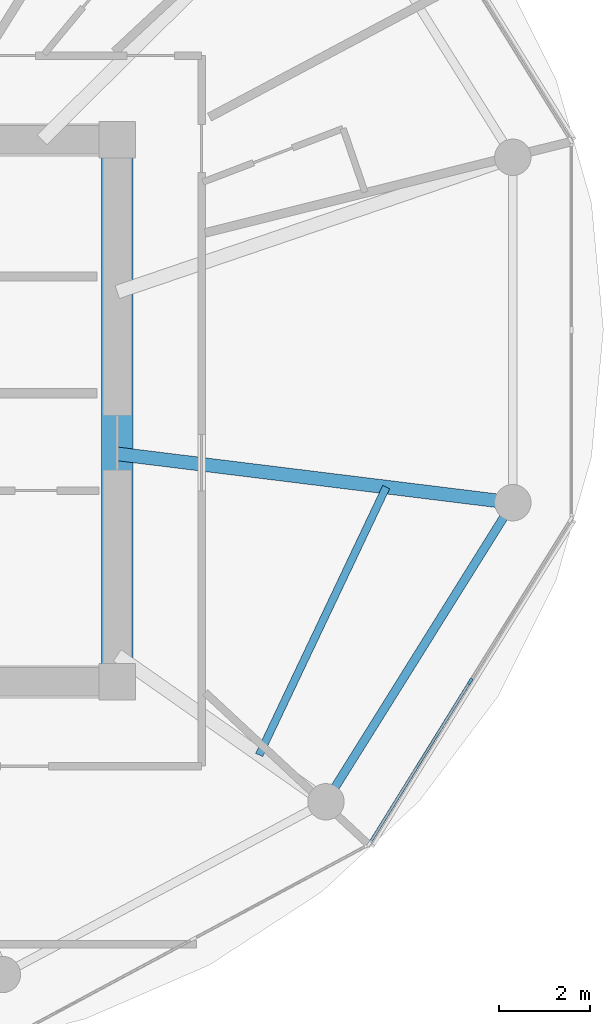
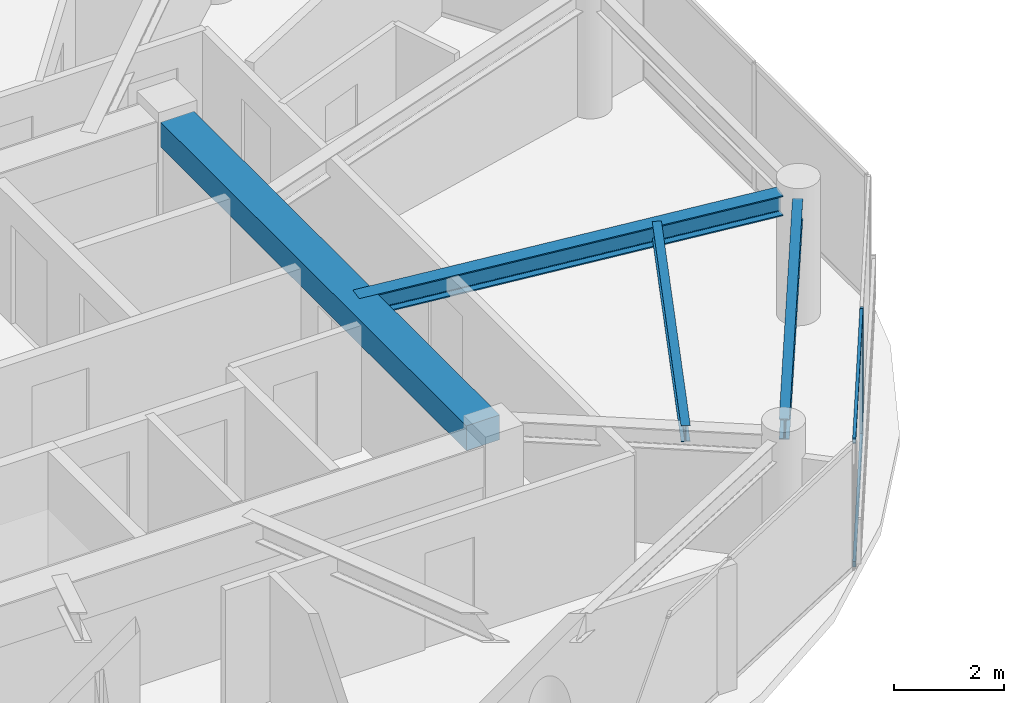
# One storey, part 3 of 24: 4 beams, 3 members, 1 element without a shape of its own.
"""IFC4 building model written with IfcOpenShell, lengths in metres."""

import ifcopenshell
import ifcopenshell.guid

model = None  # the IFC model being written
_history = None  # IfcOwnerHistory: only IFC2X3 demands one
_inside = {}  # id of a spatial element -> (the spatial element, [elements in it])
_under = {}  # id of a project, library or spatial element -> (it, [spatial elements below it])
_declared = {}  # id of a project -> (the project, [libraries it declares])
_typed = {}  # id of a type object -> (the type object, [elements of that type])
_made_of = {}  # id of a material, layer set ... -> (it, [elements and type objects made of it])


def new_model(schema):
    """Start an empty IFC model of exactly this schema.

    Asked for "IFC4X3", IfcOpenShell would pick the latest addendum, in which some entities
    have other attributes; the version numbers below select the first issue.
    IFC2X3 requires an IfcOwnerHistory on every rooted entity: one is made here for all.
    """
    global model, _history
    if schema == "IFC4X3":
        model = ifcopenshell.file(schema_version=(4, 3, 0, 0))
    else:
        model = ifcopenshell.file(schema=schema)
    _inside.clear()
    _under.clear()
    _declared.clear()
    _typed.clear()
    _made_of.clear()
    _history = None
    if model.schema == "IFC2X3":
        org = make("IfcOrganization", Name="unknown")
        user = make(
            "IfcPersonAndOrganization",
            ThePerson=make("IfcPerson", FamilyName="unknown"),
            TheOrganization=org,
        )
        app = make(
            "IfcApplication",
            ApplicationDeveloper=org,
            Version="unknown",
            ApplicationFullName="unknown",
            ApplicationIdentifier="unknown",
        )
        _history = make(
            "IfcOwnerHistory",
            OwningUser=user,
            OwningApplication=app,
            ChangeAction="ADDED",
            CreationDate=0,
        )
    return model


def make(cls, **values):
    """One entity of the class cls with the attributes given. An attribute that is None is left unset."""
    return model.create_entity(
        cls, **{name: value for name, value in values.items() if value is not None}
    )


def rooted(cls, **values):
    """An entity with a GlobalId (a new one), such as an element, a storey or a relation."""
    return make(cls, GlobalId=ifcopenshell.guid.new(), OwnerHistory=_history, **values)


def si_unit(unit_type, name, prefix=None):
    """IfcSIUnit, for example si_unit("LENGTHUNIT", "METRE", prefix="MILLI")."""
    return make("IfcSIUnit", UnitType=unit_type, Prefix=prefix, Name=name)


def assignment(units):
    """IfcUnitAssignment: the units of a project."""
    return None if units is None else make("IfcUnitAssignment", Units=units)


def point(xyz):
    """IfcCartesianPoint."""
    return None if xyz is None else make("IfcCartesianPoint", Coordinates=xyz)


def direction(xyz):
    """IfcDirection."""
    return None if xyz is None else make("IfcDirection", DirectionRatios=xyz)


def frame(location, z_axis=None, x_axis=None):
    """IfcAxis2Placement3D, a coordinate frame: its origin and axes. An axis left out is left unset."""
    return make(
        "IfcAxis2Placement3D",
        Location=point(location),
        Axis=direction(z_axis),
        RefDirection=direction(x_axis),
    )


def frame_2d(location, x_axis=None):
    """IfcAxis2Placement2D, a coordinate frame in the plane: its origin and x axis."""
    return make(
        "IfcAxis2Placement2D", Location=point(location), RefDirection=direction(x_axis)
    )


def origin():
    """The frame at (0, 0, 0) with its axes left unset."""
    return frame((0.0, 0.0, 0.0))


def origin_2d():
    """The frame at (0, 0) in the plane with its x axis left unset."""
    return frame_2d((0.0, 0.0))


def place(relative_to, where):
    """IfcLocalPlacement: puts the frame where relative to a parent placement (None: the world)."""
    return make(
        "IfcLocalPlacement", PlacementRelTo=relative_to, RelativePlacement=where
    )


def context(
    kind, dimensions, precision=None, world=None, true_north=None, identifier=None
):
    """IfcGeometricRepresentationContext, for example the 3D "Model" context."""
    return make(
        "IfcGeometricRepresentationContext",
        ContextIdentifier=identifier,
        ContextType=kind,
        CoordinateSpaceDimension=dimensions,
        Precision=precision,
        WorldCoordinateSystem=world,
        TrueNorth=true_north,
    )


def subcontext(parent, identifier, kind, view, scale=None):
    """IfcGeometricRepresentationSubContext, for example "Body" below "Model"."""
    return make(
        "IfcGeometricRepresentationSubContext",
        ContextIdentifier=identifier,
        ContextType=kind,
        ParentContext=parent,
        TargetScale=scale,
        TargetView=view,
    )


def project(units=None, contexts=None):
    """IfcProject with its units and contexts."""
    return rooted(
        "IfcProject",
        Name="project",
        RepresentationContexts=contexts,
        UnitsInContext=assignment(units),
    )


def spatial(cls, under=None, at=None, **own):
    """A site, building, storey or space (cls), placed at a placement, below another one or the project."""
    s = rooted(cls, ObjectPlacement=at, **own)
    if under is not None:
        _under.setdefault(under.id(), (under, []))[1].append(s)
    return s


def profile(cls, at=None, kind="AREA", **sizes):
    """A parametric profile (cls). Its sizes go by their IFC names, for example OverallWidth=200.0."""
    return make(cls, ProfileType=kind, Position=at, **sizes)


def rectangle(**sizes):
    """IfcRectangleProfileDef."""
    return profile("IfcRectangleProfileDef", **sizes)


def i_section(**sizes):
    """IfcIShapeProfileDef."""
    return profile("IfcIShapeProfileDef", **sizes)


def extrude(swept, where, along, depth):
    """IfcExtrudedAreaSolid: the profile swept, set in the frame where, extruded along a direction by depth."""
    return make(
        "IfcExtrudedAreaSolid",
        SweptArea=swept,
        Position=where,
        ExtrudedDirection=direction(along),
        Depth=depth,
    )


def shape(context_of_items, identifier, shape_type, items):
    """IfcShapeRepresentation: the items that make up one representation, for example the "Body"."""
    return make(
        "IfcShapeRepresentation",
        ContextOfItems=context_of_items,
        RepresentationIdentifier=identifier,
        RepresentationType=shape_type,
        Items=items,
    )


def source(mapping_origin, context_of_items, identifier, shape_type, items):
    """IfcRepresentationMap: a shape defined once, which mapped items show again and again."""
    return make(
        "IfcRepresentationMap",
        MappingOrigin=mapping_origin,
        MappedRepresentation=shape(context_of_items, identifier, shape_type, items),
    )


def transform(
    local_origin,
    x_axis=None,
    y_axis=None,
    z_axis=None,
    scale=None,
    scale2=None,
    scale3=None,
    uniform=True,
):
    """IfcCartesianTransformationOperator3D, or its non-uniform kind. x_axis, y_axis, z_axis: its Axis1, 2, 3."""
    if uniform:
        return make(
            "IfcCartesianTransformationOperator3D",
            Axis1=direction(x_axis),
            Axis2=direction(y_axis),
            LocalOrigin=point(local_origin),
            Scale=scale,
            Axis3=direction(z_axis),
        )
    return make(
        "IfcCartesianTransformationOperator3DnonUniform",
        Axis1=direction(x_axis),
        Axis2=direction(y_axis),
        LocalOrigin=point(local_origin),
        Scale=scale,
        Axis3=direction(z_axis),
        Scale2=scale2,
        Scale3=scale3,
    )


def mapped(mapping_source, mapping_target):
    """IfcMappedItem: shows the shape of a source again, moved by a transform."""
    return make(
        "IfcMappedItem", MappingSource=mapping_source, MappingTarget=mapping_target
    )


def material(Name=None, Category=None):
    """IfcMaterial."""
    return make("IfcMaterial", Name=Name, Category=Category)


def layer(
    of_material, thickness, ventilated=None, Name=None, Category=None, Priority=None
):
    """IfcMaterialLayer: one layer of a wall or slab, of a material (None: an air gap)."""
    return make(
        "IfcMaterialLayer",
        Material=of_material,
        LayerThickness=thickness,
        IsVentilated=ventilated,
        Name=Name,
        Category=Category,
        Priority=Priority,
    )


def layer_set(layers, Name=None):
    """IfcMaterialLayerSet."""
    return make("IfcMaterialLayerSet", MaterialLayers=layers, LayerSetName=Name)


def material_profile(
    of_material, cross_section, Name=None, Category=None, Priority=None
):
    """IfcMaterialProfile: a cross section and its material."""
    return make(
        "IfcMaterialProfile",
        Name=Name,
        Material=of_material,
        Profile=cross_section,
        Priority=Priority,
        Category=Category,
    )


def profile_set(profiles, Name=None, composite=None):
    """IfcMaterialProfileSet."""
    return make(
        "IfcMaterialProfileSet",
        Name=Name,
        MaterialProfiles=profiles,
        CompositeProfile=composite,
    )


def made_of(thing, what):
    """Note that an element or type object is made of a material, layer set ...; save() writes the relation."""
    if what is not None:
        _made_of.setdefault(what.id(), (what, []))[1].append(thing)
    return thing


def type_object(cls, material=None, **own):
    """A type object (cls), such as IfcWallType, which elements share."""
    return made_of(rooted(cls, **own), material)


def type_shapes(of_type, sources):
    """Give a type object the sources (RepresentationMaps) that its elements show as mapped items."""
    of_type.RepresentationMaps = sources


def element(
    cls,
    number,
    at=None,
    inside=None,
    cuts=None,
    type_object=None,
    material=None,
    context=None,
    identifier="Body",
    shape_type=None,
    held_by="IfcProductDefinitionShape",
    body=None,
    shapes=None,
    **own,
):
    """One element of the class cls, such as IfcWall. Its Tag is "e" and its number.

    at: its placement. inside: the storey or other place that contains it. cuts: it is an
    opening in that element (IfcRelVoidsElement). A single representation is given by context,
    identifier, shape_type and body (its items); several are given by shapes. held_by: the class
    of the entity that holds the representations. save() writes the other relations.
    """
    e = rooted(cls, Tag="e%d" % number, ObjectPlacement=at, **own)
    if body is not None:
        shapes = [shape(context, identifier, shape_type, body)]
    if shapes is not None:
        e.Representation = make(held_by, Representations=shapes)
    if inside is not None:
        _inside.setdefault(inside.id(), (inside, []))[1].append(e)
    if cuts is not None:
        rooted(
            "IfcRelVoidsElement", RelatingBuildingElement=cuts, RelatedOpeningElement=e
        )
    if type_object is not None:
        _typed.setdefault(type_object.id(), (type_object, []))[1].append(e)
    return made_of(e, material)


def aggregate(whole, parts):
    """IfcRelAggregates: a whole, such as a stair, and the parts it consists of."""
    return rooted("IfcRelAggregates", RelatingObject=whole, RelatedObjects=parts)


def save(model, path):
    """Write the relations noted so far, then the file.

    IfcRelAggregates (storeys below a building ...), IfcRelContainedInSpatialStructure (elements
    in a storey), IfcRelDefinesByType, IfcRelAssociatesMaterial and IfcRelDeclares: one each for
    every whole, place, type object, material and project.
    """
    for whole, parts in _under.values():
        aggregate(whole, parts)
    for where, things in _inside.values():
        rooted(
            "IfcRelContainedInSpatialStructure",
            RelatedElements=things,
            RelatingStructure=where,
        )
    for kind, things in _typed.values():
        rooted("IfcRelDefinesByType", RelatedObjects=things, RelatingType=kind)
    for what, things in _made_of.values():
        rooted("IfcRelAssociatesMaterial", RelatedObjects=things, RelatingMaterial=what)
    for by, libraries in _declared.values():
        rooted("IfcRelDeclares", RelatingContext=by, RelatedDefinitions=libraries)
    model.write(path)


model = new_model("IFC4")

# Units and contexts
model_context = context("Model", 3, precision=1e-05, world=origin(), true_north=direction((0.0, 1.0)))
body_context = subcontext(model_context, "Body", "Model", "MODEL_VIEW")
ifc_project = project(units=[si_unit("LENGTHUNIT", "METRE"), si_unit("AREAUNIT", "SQUARE_METRE"), si_unit("VOLUMEUNIT", "CUBIC_METRE"), si_unit("PLANEANGLEUNIT", "RADIAN"), si_unit("MASSUNIT", "GRAM", prefix="KILO")], contexts=[model_context])

# Site, building, storey
site_placement = place(None, origin())
site = spatial("IfcSite", under=ifc_project, at=site_placement, CompositionType="ELEMENT")
building_placement = place(site_placement, origin())
building = spatial("IfcBuilding", under=site, at=building_placement, Name="Norrkilde Senior Care Towers", CompositionType="ELEMENT")
storey_placement = place(building_placement, frame((0.0, 0.0, 155.64990234375)))
storey = spatial("IfcBuildingStorey", under=building, at=storey_placement, Name="L48", CompositionType="ELEMENT", Elevation=155.64990234375)

# Beams
ifc_material_1 = material(Name="Concrete C60/75", Category="concrete")
ifc_material_profile_1 = material_profile(ifc_material_1, rectangle(XDim=0.699951171875, YDim=0.550048828125, at=origin_2d()), Name="RC BM 700x550")
ifc_profile_set_1 = profile_set([ifc_material_profile_1], Name="Concrete C60/75")
beam_type_1 = type_object("IfcBeamType", Name="Core Portal Coupling Beam 700x550", PredefinedType="USERDEFINED", material=ifc_profile_set_1)
shared_shape_1 = source(origin(), body_context, "Body", "SweptSolid", [
    extrude(rectangle(XDim=0.699951171875, YDim=0.550048828125, at=origin_2d()), origin(), (0.0, 0.0, 1.0), 11.14013671875),
])
type_shapes(beam_type_1, [shared_shape_1])
beam_1_placement = place(storey_placement, frame((-20.35009765625, -5.570068359375, 2.53515625), z_axis=(0.0, 1.0, 0.0), x_axis=(-1.0, 0.0, 0.0)))
element("IfcBeam", 1, at=beam_1_placement, inside=storey, type_object=beam_type_1, Name="L48 Core W E Coupling Girder", ObjectType="GIRDER", PredefinedType="USERDEFINED", context=body_context, shape_type="MappedRepresentation", body=[
    mapped(shared_shape_1, transform((0.0, 0.0, 0.0), x_axis=(1.0, 0.0, 0.0), y_axis=(0.0, 1.0, 0.0), z_axis=(0.0, 0.0, 1.0), scale=1.0)),
])
ifc_material_2 = material(Name="Steel S355", Category="steel")
ifc_material_profile_2 = material_profile(ifc_material_2, i_section(OverallWidth=0.18994140625, OverallDepth=0.449951171875, WebThickness=0.009521484375, FlangeThickness=0.0146484375, FilletRadius=0.02099609375, at=origin_2d()), Name="IPE 450")
ifc_profile_set_2 = profile_set([ifc_material_profile_2], Name="Steel S355")
beam_type_2 = type_object("IfcBeamType", Name="Perimeter Ring Spandrel Z3 IPE450", PredefinedType="SPANDREL", material=ifc_profile_set_2)
shared_shape_2 = source(origin(), body_context, "Body", "SweptSolid", [
    extrude(i_section(OverallWidth=0.18994140625, OverallDepth=0.449951171875, WebThickness=0.009521484375, FlangeThickness=0.0146484375, FilletRadius=0.02099609375, at=origin_2d()), origin(), (0.0, 0.0, 1.0), 7.023193359375),
])
type_shapes(beam_type_2, [shared_shape_2])
beam_2_placement = place(storey_placement, frame((-15.57666015625, -8.2783203125, 2.585205078125), z_axis=(0.529805197269, 0.848119362441, 0.0), x_axis=(-0.848119362441, 0.529805197269, 0.0)))
element("IfcBeam", 2, at=beam_2_placement, inside=storey, type_object=beam_type_2, Name="L48 Drum W Perimeter Spandrel 11", PredefinedType="SPANDREL", context=body_context, shape_type="MappedRepresentation", body=[
    mapped(shared_shape_2, transform((0.0, 0.0, 0.0), x_axis=(1.0, 0.0, 0.0), y_axis=(0.0, 1.0, 0.0), z_axis=(0.0, 0.0, 1.0), scale=1.0)),
])
ifc_material_profile_3 = material_profile(ifc_material_2, i_section(OverallWidth=0.300048828125, OverallDepth=0.449951171875, WebThickness=0.013916015625, FlangeThickness=0.02587890625, FilletRadius=0.027099609375, at=origin_2d()), Name="HEB 450")
ifc_profile_set_3 = profile_set([ifc_material_profile_3], Name="Steel S355")
beam_type_3 = type_object("IfcBeamType", Name="Radial Floor Beam Z3 HEB450", PredefinedType="BEAM", material=ifc_profile_set_3)
shared_shape_3 = source(origin(), body_context, "Body", "SweptSolid", [
    extrude(i_section(OverallWidth=0.300048828125, OverallDepth=0.449951171875, WebThickness=0.013916015625, FlangeThickness=0.02587890625, FilletRadius=0.027099609375, at=origin_2d()), origin(), (0.0, 0.0, 1.0), 8.390869140625),
])
type_shapes(beam_type_3, [shared_shape_3])
beam_3_placement = place(storey_placement, frame((-20.35009765625, -0.9443359375, 2.585205078125), z_axis=(0.99246916403, -0.122494728249, 0.0), x_axis=(0.122494728249, 0.99246916403, 0.0)))
element("IfcBeam", 3, at=beam_3_placement, inside=storey, type_object=beam_type_3, Name="L48 Drum W Radial Floor Beam 12", PredefinedType="BEAM", context=body_context, shape_type="MappedRepresentation", body=[
    mapped(shared_shape_3, transform((0.0, 0.0, 0.0), x_axis=(1.0, 0.0, 0.0), y_axis=(0.0, 1.0, 0.0), z_axis=(0.0, 0.0, 1.0), scale=1.0)),
])
ifc_material_profile_4 = material_profile(ifc_material_2, i_section(OverallWidth=0.169921875, OverallDepth=0.360107421875, WebThickness=0.008056640625, FlangeThickness=0.0126953125, FilletRadius=0.01806640625, at=origin_2d()), Name="IPE 360")
ifc_profile_set_4 = profile_set([ifc_material_profile_4], Name="Steel S355")
beam_type_4 = type_object("IfcBeamType", Name="Secondary Floor Joist IPE360", PredefinedType="JOIST", material=ifc_profile_set_4)
shared_shape_4 = source(origin(), body_context, "Body", "SweptSolid", [
    extrude(i_section(OverallWidth=0.169921875, OverallDepth=0.360107421875, WebThickness=0.008056640625, FlangeThickness=0.0126953125, FilletRadius=0.01806640625, at=origin_2d()), origin(), (0.0, 0.0, 1.0), 6.50927734375),
])
type_shapes(beam_type_4, [shared_shape_4])
beam_4_placement = place(storey_placement, frame((-17.23388671875, -7.5546875, 2.630126953125), z_axis=(0.428544169129, 0.90352083269, 0.0), x_axis=(-0.90352083269, 0.428544169129, 0.0)))
element("IfcBeam", 4, at=beam_4_placement, inside=storey, type_object=beam_type_4, Name="L48 Drum W Secondary Floor Joist 4", PredefinedType="JOIST", context=body_context, shape_type="MappedRepresentation", body=[
    mapped(shared_shape_4, transform((0.0, 0.0, 0.0), x_axis=(1.0, 0.0, 0.0), y_axis=(0.0, 1.0, 0.0), z_axis=(0.0, 0.0, 1.0), scale=1.0)),
])

# Curtain wall, members
ifc_material_3 = material(Name="Triple Low-E Insulated Glazing", Category="glass")
ifc_layer = layer(ifc_material_3, 0.18994140625)
ifc_layer_set = layer_set([ifc_layer], Name="Triple Low-E Insulated Glazing")
curtain_wall_type = type_object("IfcCurtainWallType", Name="CW4 Zone 3 Senior Residence Curtain Wall", PredefinedType="NOTDEFINED", material=ifc_layer_set)
curtain_wall_placement = place(storey_placement, origin())
curtain_wall = element("IfcCurtainWall", 5, at=curtain_wall_placement, inside=storey, type_object=curtain_wall_type, Name="L48 Drum W Curtain Wall 10", PredefinedType="NOTDEFINED")
ifc_material_4 = material(Name="Anodised Aluminium", Category="aluminium")
ifc_material_profile_5 = material_profile(ifc_material_4, rectangle(XDim=0.06494140625, YDim=0.14990234375, at=origin_2d()), Name="ALU MULL 65x150")
ifc_profile_set_5 = profile_set([ifc_material_profile_5], Name="Anodised Aluminium")
member_type_1 = type_object("IfcMemberType", Name="Curtain Wall Mullion Z3-Z4 65x150", PredefinedType="MULLION", material=ifc_profile_set_5)
shared_shape_5 = source(origin(), body_context, "Body", "SweptSolid", [
    extrude(rectangle(XDim=0.06494140625, YDim=0.14990234375, at=origin_2d()), origin(), (0.0, 0.0, 1.0), 2.81005859375),
])
type_shapes(member_type_1, [shared_shape_5])
member_1_placement = place(storey_placement, frame((-12.603759765625, -5.9423828125, 0.0), z_axis=(0.0, 0.0, 1.0), x_axis=(0.84963405474, -0.52737270789, 0.0)))
member_1 = element("IfcMember", 6, at=member_1_placement, type_object=member_type_1, Name="CW-4 mullion 2", PredefinedType="MULLION", context=body_context, shape_type="MappedRepresentation", body=[
    mapped(shared_shape_5, transform((0.0, 0.0, 0.0), x_axis=(1.0, 0.0, 0.0), y_axis=(0.0, 1.0, 0.0), z_axis=(0.0, 0.0, 1.0), scale=1.0)),
])
ifc_material_profile_6 = material_profile(ifc_material_4, rectangle(XDim=0.06005859375, YDim=0.1201171875, at=origin_2d()), Name="ALU TRAN 60x120")
ifc_profile_set_6 = profile_set([ifc_material_profile_6], Name="Anodised Aluminium")
member_type_2 = type_object("IfcMemberType", Name="Curtain Wall Transom Typical 60x120", PredefinedType="USERDEFINED", material=ifc_profile_set_6)
shared_shape_6 = source(origin(), body_context, "Body", "SweptSolid", [
    extrude(rectangle(XDim=0.06005859375, YDim=0.1201171875, at=origin_2d()), origin(), (0.0, 0.0, 1.0), 4.1181640625),
])
type_shapes(member_type_2, [shared_shape_6])
member_2_placement = place(storey_placement, frame((-12.620849609375, -5.969970703125, 0.030029296875), z_axis=(-0.527374667286, -0.849632838528, 0.0), x_axis=(0.849632838528, -0.527374667286, 0.0)))
member_2 = element("IfcMember", 7, at=member_2_placement, type_object=member_type_2, Name="CW-4 transom 2.1", ObjectType="TRANSOM", PredefinedType="USERDEFINED", context=body_context, shape_type="MappedRepresentation", body=[
    mapped(shared_shape_6, transform((0.0, 0.0, 0.0), x_axis=(1.0, 0.0, 0.0), y_axis=(0.0, 1.0, 0.0), z_axis=(0.0, 0.0, 1.0), scale=1.0)),
])
member_3_placement = place(storey_placement, frame((-12.620849609375, -5.969970703125, 2.780029296875), z_axis=(-0.527374667286, -0.849632838528, 0.0), x_axis=(0.849632838528, -0.527374667286, 0.0)))
member_3 = element("IfcMember", 8, at=member_3_placement, type_object=member_type_2, Name="CW-4 transom 2.2", ObjectType="TRANSOM", PredefinedType="USERDEFINED", context=body_context, shape_type="MappedRepresentation", body=[
    mapped(shared_shape_6, transform((0.0, 0.0, 0.0), x_axis=(1.0, 0.0, 0.0), y_axis=(0.0, 1.0, 0.0), z_axis=(0.0, 0.0, 1.0), scale=1.0)),
])
aggregate(curtain_wall, [member_1, member_2, member_3])

save(model, "model.ifc")
